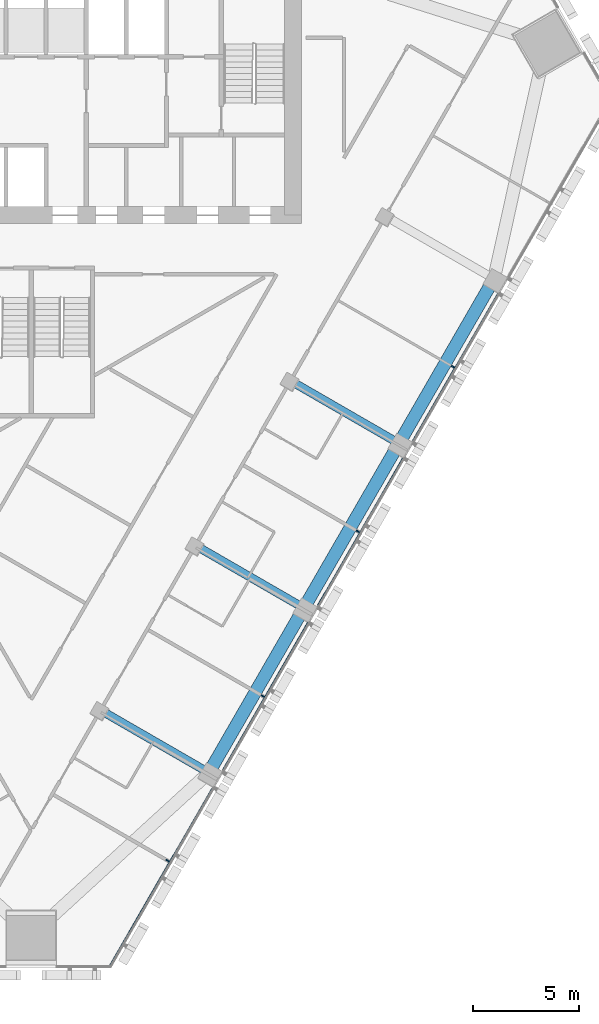
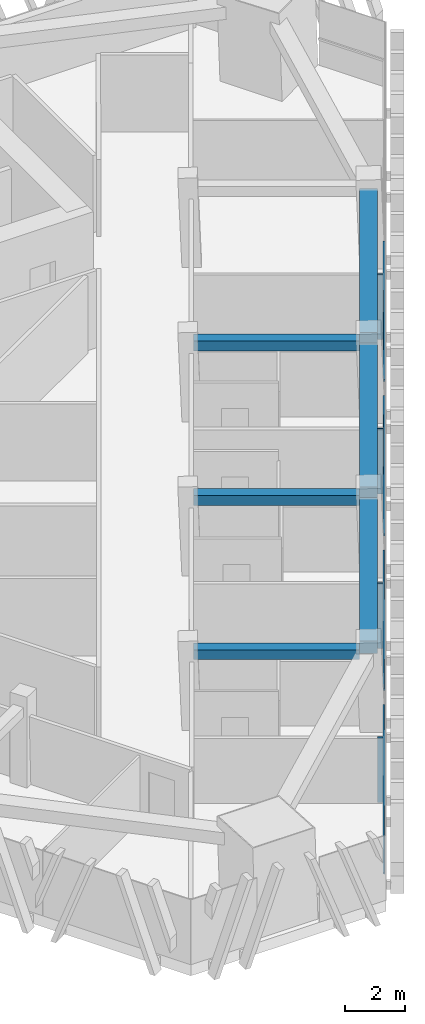
# One storey, part 4 of 15: 8 members, 6 beams, 1 element without a shape of its own.
"""IFC4 building model written with IfcOpenShell, lengths in metres."""

from ifc_helpers import new_model, si_unit, direction, frame, origin, origin_2d, place, context, subcontext, project, spatial, rectangle, extrude, material, layer, layer_set, material_profile, profile_set, type_object, element, aggregate, save


model = new_model("IFC4")

# Units and contexts
model_context = context("Model", 3, precision=1e-05, world=origin(), true_north=direction((0.0, 1.0)))
body_context = subcontext(model_context, "Body", "Model", "MODEL_VIEW")
ifc_project = project(units=[si_unit("LENGTHUNIT", "METRE"), si_unit("AREAUNIT", "SQUARE_METRE"), si_unit("VOLUMEUNIT", "CUBIC_METRE"), si_unit("PLANEANGLEUNIT", "RADIAN"), si_unit("MASSUNIT", "GRAM", prefix="KILO")], contexts=[model_context])

# Site, building, storey
site_placement = place(None, origin())
site = spatial("IfcSite", under=ifc_project, at=site_placement, CompositionType="ELEMENT")
building_placement = place(site_placement, origin())
building = spatial("IfcBuilding", under=site, at=building_placement, Name="Altiplano Prism Tower", CompositionType="ELEMENT")
storey_placement = place(building_placement, frame((0.0, 0.0, 142.199951171875)))
storey = spatial("IfcBuildingStorey", under=building, at=storey_placement, Name="L36", CompositionType="ELEMENT", Elevation=142.199951171875)

# Curtain wall, members
ifc_material_1 = material(Name="Aluminium and glass", Category="aluminium")
ifc_layer = layer(ifc_material_1, 0.280029296875)
ifc_layer_set = layer_set([ifc_layer], Name="Aluminium and glass")
curtain_wall_type = type_object("IfcCurtainWallType", Name="CW1 typical co-living unitised curtain wall", PredefinedType="NOTDEFINED", material=ifc_layer_set)
curtain_wall_placement = place(storey_placement, origin())
curtain_wall = element("IfcCurtainWall", 1, at=curtain_wall_placement, inside=storey, type_object=curtain_wall_type, Name="CW1 curtain wall south-east face L36", PredefinedType="NOTDEFINED")
ifc_material_2 = material(Name="Aluminium", Category="aluminium")
ifc_material_profile_1 = material_profile(ifc_material_2, rectangle(XDim=0.179931640625, YDim=0.06494140625, at=origin_2d()), Name="CW1 mullion 65 x 180")
ifc_profile_set_1 = profile_set([ifc_material_profile_1], Name="Aluminium")
member_type_1 = type_object("IfcMemberType", Name="CW1 mullion 65 x 180", PredefinedType="MULLION", material=ifc_profile_set_1)
member_1_placement = place(storey_placement, frame((91.46240234375, 62.43994140625, 0.0), z_axis=(0.0, 0.0, 1.0), x_axis=(-0.866025403278, 0.500000000877, 0.0)))
member_1 = element("IfcMember", 2, at=member_1_placement, type_object=member_type_1, Name="CW1 mullion", PredefinedType="MULLION", context=body_context, shape_type="SweptSolid", body=[
    extrude(rectangle(XDim=0.179931640625, YDim=0.06494140625, at=origin_2d()), origin(), (0.0, 0.0, 1.0), 2.650146484375),
])
member_2_placement = place(storey_placement, frame((95.96240234375, 70.234130859375, 0.0), z_axis=(0.0, 0.0, 1.0), x_axis=(-0.866025403278, 0.500000000877, 0.0)))
member_2 = element("IfcMember", 3, at=member_2_placement, type_object=member_type_1, Name="CW1 mullion", PredefinedType="MULLION", context=body_context, shape_type="SweptSolid", body=[
    extrude(rectangle(XDim=0.179931640625, YDim=0.06494140625, at=origin_2d()), origin(), (0.0, 0.0, 1.0), 2.650146484375),
])
member_3_placement = place(storey_placement, frame((100.46240234375, 78.028564453125, 0.0), z_axis=(0.0, 0.0, 1.0), x_axis=(-0.866025403278, 0.500000000877, 0.0)))
member_3 = element("IfcMember", 4, at=member_3_placement, type_object=member_type_1, Name="CW1 mullion", PredefinedType="MULLION", context=body_context, shape_type="SweptSolid", body=[
    extrude(rectangle(XDim=0.179931640625, YDim=0.06494140625, at=origin_2d()), origin(), (0.0, 0.0, 1.0), 2.650146484375),
])
member_4_placement = place(storey_placement, frame((104.96240234375, 85.82275390625, 0.0), z_axis=(0.0, 0.0, 1.0), x_axis=(-0.866025403278, 0.500000000877, 0.0)))
member_4 = element("IfcMember", 5, at=member_4_placement, type_object=member_type_1, Name="CW1 mullion", PredefinedType="MULLION", context=body_context, shape_type="SweptSolid", body=[
    extrude(rectangle(XDim=0.179931640625, YDim=0.06494140625, at=origin_2d()), origin(), (0.0, 0.0, 1.0), 2.650146484375),
])
ifc_material_profile_2 = material_profile(ifc_material_2, rectangle(XDim=0.06005859375, YDim=0.080078125, at=origin_2d()), Name="CW1 transom 80 x 60")
ifc_profile_set_2 = profile_set([ifc_material_profile_2], Name="Aluminium")
member_type_2 = type_object("IfcMemberType", Name="CW1 transom 80 x 60", PredefinedType="USERDEFINED", material=ifc_profile_set_2)
member_5_placement = place(storey_placement, frame((88.707763671875, 57.42919921875, 1.10009765625), z_axis=(0.500019594979, 0.866014090322, 0.0), x_axis=(-0.866014090322, 0.500019594979, 0.0)))
member_5 = element("IfcMember", 6, at=member_5_placement, type_object=member_type_2, Name="CW1 transom", ObjectType="TRANSOM", PredefinedType="USERDEFINED", context=body_context, shape_type="SweptSolid", body=[
    extrude(rectangle(XDim=0.06005859375, YDim=0.080078125, at=origin_2d()), origin(), (0.0, 0.0, 1.0), 9.791015625),
])
member_6_placement = place(storey_placement, frame((94.068603515625, 66.714111328125, 1.10009765625), z_axis=(0.500007908628, 0.866020837688, 0.0), x_axis=(-0.866020837688, 0.500007908628, 0.0)))
member_6 = element("IfcMember", 7, at=member_6_placement, type_object=member_type_2, Name="CW1 transom", ObjectType="TRANSOM", PredefinedType="USERDEFINED", context=body_context, shape_type="SweptSolid", body=[
    extrude(rectangle(XDim=0.06005859375, YDim=0.080078125, at=origin_2d()), origin(), (0.0, 0.0, 1.0), 8.069580078125),
])
member_7_placement = place(storey_placement, frame((98.568603515625, 74.50830078125, 1.10009765625), z_axis=(0.499994808408, 0.866028401131, 0.0), x_axis=(-0.866028401131, 0.499994808408, 0.0)))
member_7 = element("IfcMember", 8, at=member_7_placement, type_object=member_type_2, Name="CW1 transom", ObjectType="TRANSOM", PredefinedType="USERDEFINED", context=body_context, shape_type="SweptSolid", body=[
    extrude(rectangle(XDim=0.06005859375, YDim=0.080078125, at=origin_2d()), origin(), (0.0, 0.0, 1.0), 8.06982421875),
])
member_8_placement = place(storey_placement, frame((103.068603515625, 82.302490234375, 1.10009765625), z_axis=(0.499994808408, 0.866028401131, 0.0), x_axis=(-0.866028401131, 0.499994808408, 0.0)))
member_8 = element("IfcMember", 9, at=member_8_placement, type_object=member_type_2, Name="CW1 transom", ObjectType="TRANSOM", PredefinedType="USERDEFINED", context=body_context, shape_type="SweptSolid", body=[
    extrude(rectangle(XDim=0.06005859375, YDim=0.080078125, at=origin_2d()), origin(), (0.0, 0.0, 1.0), 8.06982421875),
])
aggregate(curtain_wall, [member_1, member_5, member_2, member_6, member_3, member_7, member_4, member_8])

# Beams
ifc_material_3 = material(Name="Concrete C60/75", Category="concrete")
ifc_material_profile_3 = material_profile(ifc_material_3, rectangle(XDim=0.60009765625, YDim=0.5, at=origin_2d()), Name="Edge beam 600x500")
ifc_profile_set_3 = profile_set([ifc_material_profile_3], Name="Concrete C60/75")
beam_type_1 = type_object("IfcBeamType", Name="Edge beam 600x500", PredefinedType="SPANDREL", material=ifc_profile_set_3)
for number, where, z_axis, x_axis, name in (
    (10, (93.5595703125, 66.869873046875, 2.900146484375), (0.500010445942, 0.866019372733, 0.0), (-0.866019372733, 0.500010445942, 0.0), "Edge beam P21-P22 L37"),
    (11, (98.0595703125, 74.6640625, 2.900146484375), (0.500010445942, 0.866019372733, 0.0), (-0.866019372733, 0.500010445942, 0.0), "Edge beam P22-P23 L37"),
    (12, (102.5595703125, 82.458251953125, 2.900146484375), (0.500010445942, 0.866019372733, 0.0), (-0.866019372733, 0.500010445942, 0.0), "Edge beam P23-P24 L37"),
):
    element("IfcBeam", number, at=place(storey_placement, frame(where, z_axis=z_axis, x_axis=x_axis)), inside=storey, type_object=beam_type_1, Name=name, PredefinedType="SPANDREL", context=body_context, shape_type="SweptSolid", body=[
        extrude(rectangle(XDim=0.60009765625, YDim=0.5, at=origin_2d()), origin(), (0.0, 0.0, 1.0), 8.389892578125),
    ])
ifc_material_profile_4 = material_profile(ifc_material_3, rectangle(XDim=0.39990234375, YDim=0.39990234375, at=origin_2d()), Name="Tie beam 400x400")
ifc_profile_set_4 = profile_set([ifc_material_profile_4], Name="Concrete C60/75")
beam_type_2 = type_object("IfcBeamType", Name="Tie beam 400x400", PredefinedType="BEAM", material=ifc_profile_set_4)
for number, where, z_axis, x_axis, name in (
    (13, (88.34521484375, 69.528076171875, 2.949951171875), (0.866046155052, -0.499964056028, 0.0), (0.499964056028, 0.866046155052, 0.0), "Tie beam I21 L37"),
    (14, (92.84521484375, 77.322509765625, 2.949951171875), (0.866027073272, -0.499997108352, 0.0), (0.499997108352, 0.866027073272, 0.0), "Tie beam I22 L37"),
    (15, (97.34521484375, 85.11669921875, 2.949951171875), (0.866027073272, -0.499997108352, 0.0), (0.499997108352, 0.866027073272, 0.0), "Tie beam I23 L37"),
):
    element("IfcBeam", number, at=place(storey_placement, frame(where, z_axis=z_axis, x_axis=x_axis)), inside=storey, type_object=beam_type_2, Name=name, PredefinedType="BEAM", context=body_context, shape_type="SweptSolid", body=[
        extrude(rectangle(XDim=0.39990234375, YDim=0.39990234375, at=origin_2d()), origin(), (0.0, 0.0, 1.0), 5.5400390625),
    ])

save(model, "model.ifc")
